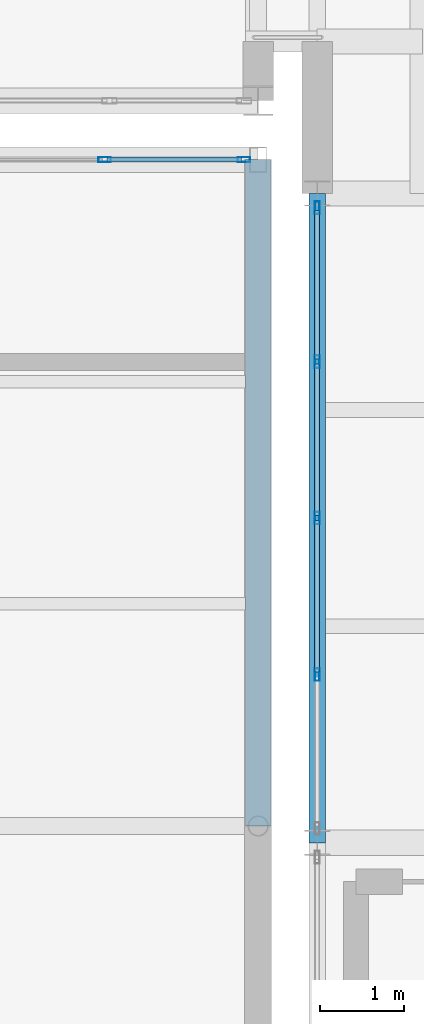
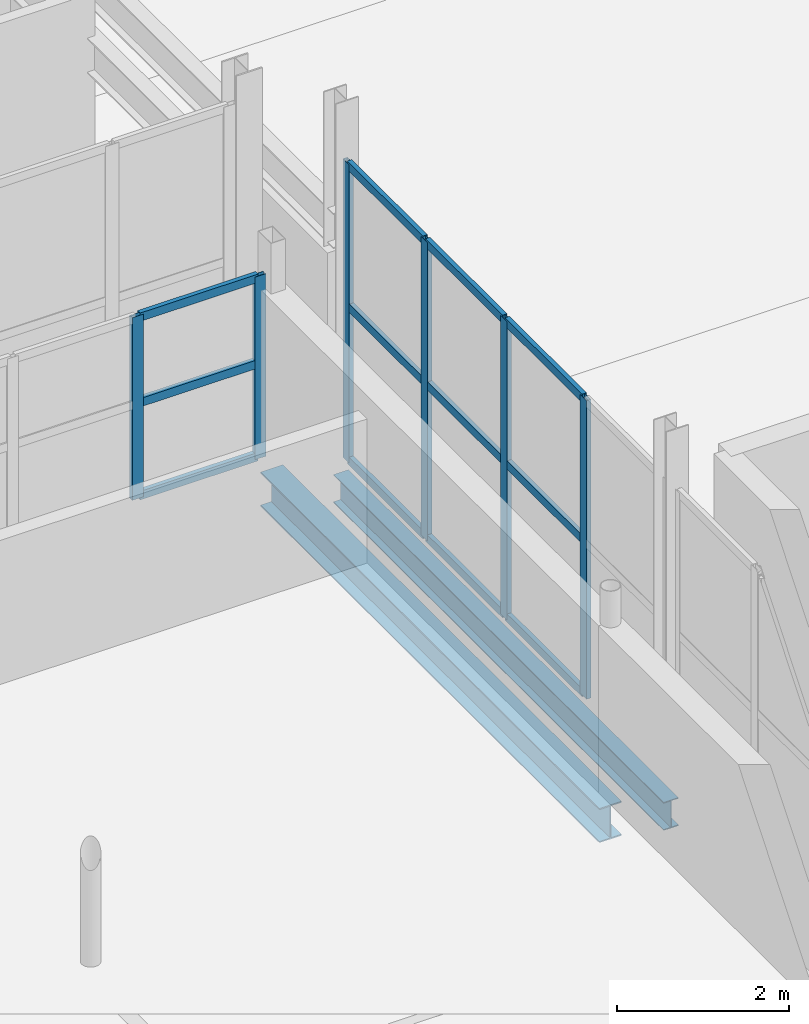
# One storey, part 107 of 218: 18 members, 2 beams, 2 elements without a shape of their own.
"""IFC4 building model written with IfcOpenShell, lengths in metres."""

from ifc_helpers import new_model, si_unit, direction, frame, origin, origin_2d, place, context, subcontext, project, spatial, hollow_rectangle, i_section, extrude, material, material_profile, profile_set, type_object, element, aggregate, save


model = new_model("IFC4")

# Units and contexts
model_context = context("Model", 3, precision=1e-05, world=origin(), true_north=direction((0.0, 1.0)))
body_context = subcontext(model_context, "Body", "Model", "MODEL_VIEW")
ifc_project = project(units=[si_unit("LENGTHUNIT", "METRE"), si_unit("AREAUNIT", "SQUARE_METRE"), si_unit("VOLUMEUNIT", "CUBIC_METRE"), si_unit("PLANEANGLEUNIT", "RADIAN"), si_unit("MASSUNIT", "GRAM", prefix="KILO")], contexts=[model_context])

# Site, building, storey
site_placement = place(None, origin())
site = spatial("IfcSite", under=ifc_project, at=site_placement, CompositionType="ELEMENT")
building_placement = place(site_placement, origin())
building = spatial("IfcBuilding", under=site, at=building_placement, Name="Kazenagashi Tramway Depot", CompositionType="ELEMENT")
storey_placement = place(building_placement, frame((0.0, 0.0, 6.0)))
storey = spatial("IfcBuildingStorey", under=building, at=storey_placement, Name="L02", CompositionType="ELEMENT", Elevation=6.0)

# Curtain wall, members
ifc_material_1 = material(Name="Anodised Aluminium and Low-E Glazing", Category="aluminium")
curtain_wall_type_1 = type_object("IfcCurtainWallType", Name="CW-31", PredefinedType="USERDEFINED", material=ifc_material_1)
curtain_wall_1_placement = place(storey_placement, origin())
curtain_wall_1 = element("IfcCurtainWall", 1, at=curtain_wall_1_placement, inside=storey, type_object=curtain_wall_type_1, Name="Industrial Glazed Screen CW-31 CW-0160", ObjectType="GLAZED SCREEN", PredefinedType="USERDEFINED")
ifc_material_2 = material(Name="Anodised Aluminium", Category="aluminium")
ifc_material_profile_1 = material_profile(ifc_material_2, hollow_rectangle(XDim=0.06, YDim=0.15, WallThickness=0.004, at=origin_2d()), Name="RHS-150x60x4")
ifc_profile_set_1 = profile_set([ifc_material_profile_1], Name="Anodised Aluminium")
member_type_1 = type_object("IfcMemberType", Name="ML-01", PredefinedType="MULLION", material=ifc_profile_set_1)
member_1_placement = place(storey_placement, frame((146.3, 9.695, 0.0), z_axis=(0.0, 0.0, 1.0), x_axis=(-1.0, 0.0, 0.0)))
member_1 = element("IfcMember", 2, at=member_1_placement, type_object=member_type_1, Name="CW-31 mullion 2", PredefinedType="MULLION", context=body_context, shape_type="SweptSolid", body=[
    extrude(hollow_rectangle(XDim=0.06, YDim=0.15, WallThickness=0.004, at=origin_2d()), origin(), (0.0, 0.0, 1.0), 4.25),
])
member_2_placement = place(storey_placement, frame((146.3, 11.55, 0.0), z_axis=(0.0, 0.0, 1.0), x_axis=(-1.0, 0.0, 0.0)))
member_2 = element("IfcMember", 3, at=member_2_placement, type_object=member_type_1, Name="CW-31 mullion 3", PredefinedType="MULLION", context=body_context, shape_type="SweptSolid", body=[
    extrude(hollow_rectangle(XDim=0.06, YDim=0.15, WallThickness=0.004, at=origin_2d()), origin(), (0.0, 0.0, 1.0), 4.25),
])
member_3_placement = place(storey_placement, frame((146.3, 13.405, 0.0), z_axis=(0.0, 0.0, 1.0), x_axis=(-1.0, 0.0, 0.0)))
member_3 = element("IfcMember", 4, at=member_3_placement, type_object=member_type_1, Name="CW-31 mullion 4", PredefinedType="MULLION", context=body_context, shape_type="SweptSolid", body=[
    extrude(hollow_rectangle(XDim=0.06, YDim=0.15, WallThickness=0.004, at=origin_2d()), origin(), (0.0, 0.0, 1.0), 4.25),
])
member_4_placement = place(storey_placement, frame((146.3, 15.23, 0.0), z_axis=(0.0, 0.0, 1.0), x_axis=(-1.0, 0.0, 0.0)))
member_4 = element("IfcMember", 5, at=member_4_placement, type_object=member_type_1, Name="CW-31 mullion 5", PredefinedType="MULLION", context=body_context, shape_type="SweptSolid", body=[
    extrude(hollow_rectangle(XDim=0.06, YDim=0.15, WallThickness=0.004, at=origin_2d()), origin(), (0.0, 0.0, 1.0), 4.25),
])

curtain_wall_type_2 = type_object("IfcCurtainWallType", Name="CW-32", PredefinedType="USERDEFINED", material=ifc_material_1)
curtain_wall_2_placement = place(storey_placement, origin())
curtain_wall_2 = element("IfcCurtainWall", 6, at=curtain_wall_2_placement, inside=storey, type_object=curtain_wall_type_2, Name="Industrial Glazed Screen CW-32 CW-0179", ObjectType="GLAZED SCREEN", PredefinedType="USERDEFINED")
member_5_placement = place(storey_placement, frame((143.78, 15.8, 0.0), z_axis=(0.0, 0.0, 1.0), x_axis=(0.0, 1.0, 0.0)))
member_5 = element("IfcMember", 7, at=member_5_placement, type_object=member_type_1, Name="CW-32 mullion 4", PredefinedType="MULLION", context=body_context, shape_type="SweptSolid", body=[
    extrude(hollow_rectangle(XDim=0.06, YDim=0.15, WallThickness=0.004, at=origin_2d()), origin(), (0.0, 0.0, 1.0), 2.6),
])
member_6_placement = place(storey_placement, frame((145.43, 15.8, 0.0), z_axis=(0.0, 0.0, 1.0), x_axis=(0.0, 1.0, 0.0)))
member_6 = element("IfcMember", 8, at=member_6_placement, type_object=member_type_1, Name="CW-32 mullion 5", PredefinedType="MULLION", context=body_context, shape_type="SweptSolid", body=[
    extrude(hollow_rectangle(XDim=0.06, YDim=0.15, WallThickness=0.004, at=origin_2d()), origin(), (0.0, 0.0, 1.0), 2.6),
])

# Beams
ifc_material_3 = material(Name="Steel SN490B", Category="steel")
ifc_material_profile_2 = material_profile(ifc_material_3, i_section(OverallWidth=0.3, OverallDepth=0.488, WebThickness=0.011, FlangeThickness=0.018, at=origin_2d()), Name="H-488x300x11x18")
ifc_profile_set_2 = profile_set([ifc_material_profile_2], Name="Steel SN490B")
beam_type_1 = type_object("IfcBeamType", Name="SP-02", PredefinedType="SPANDREL", material=ifc_profile_set_2)
beam_1_placement = place(storey_placement, frame((145.6, 7.9, -0.469), z_axis=(0.0, 1.0, 0.0), x_axis=(-1.0, 0.0, 0.0)))
element("IfcBeam", 9, at=beam_1_placement, inside=storey, type_object=beam_type_1, Name="Beam SP-02 BM-1644", PredefinedType="SPANDREL", context=body_context, shape_type="SweptSolid", body=[
    extrude(i_section(OverallWidth=0.3, OverallDepth=0.488, WebThickness=0.011, FlangeThickness=0.018, at=origin_2d()), origin(), (0.0, 0.0, 1.0), 7.9),
])
ifc_material_profile_3 = material_profile(ifc_material_3, i_section(OverallWidth=0.2, OverallDepth=0.4, WebThickness=0.008, FlangeThickness=0.013, at=origin_2d()), Name="H-400x200x8x13")
ifc_profile_set_3 = profile_set([ifc_material_profile_3], Name="Steel SN490B")
beam_type_2 = type_object("IfcBeamType", Name="SP-04", PredefinedType="SPANDREL", material=ifc_profile_set_3)
beam_2_placement = place(storey_placement, frame((146.3, 7.7, -0.48), z_axis=(0.0, 1.0, 0.0), x_axis=(-1.0, 0.0, 0.0)))
element("IfcBeam", 10, at=beam_2_placement, inside=storey, type_object=beam_type_2, Name="Beam SP-04 BM-1232", PredefinedType="SPANDREL", context=body_context, shape_type="SweptSolid", body=[
    extrude(i_section(OverallWidth=0.2, OverallDepth=0.4, WebThickness=0.008, FlangeThickness=0.013, at=origin_2d()), origin(), (0.0, 0.0, 1.0), 7.7),
])

# Member
ifc_material_profile_4 = material_profile(ifc_material_2, hollow_rectangle(XDim=0.06, YDim=0.12, WallThickness=0.004, at=origin_2d()), Name="RHS-120x60x4")
ifc_profile_set_4 = profile_set([ifc_material_profile_4], Name="Anodised Aluminium")
member_type_2 = type_object("IfcMemberType", Name="TR-01", PredefinedType="USERDEFINED", material=ifc_profile_set_4)
member_7_placement = place(storey_placement, frame((146.3, 9.725, 0.03), z_axis=(0.0, 1.0, 0.0), x_axis=(-1.0, 0.0, 0.0)))
member_7 = element("IfcMember", 11, at=member_7_placement, type_object=member_type_2, Name="CW-31 transom 2.1", ObjectType="TRANSOM", PredefinedType="USERDEFINED", context=body_context, shape_type="SweptSolid", body=[
    extrude(hollow_rectangle(XDim=0.06, YDim=0.12, WallThickness=0.004, at=origin_2d()), origin(), (0.0, 0.0, 1.0), 1.795),
])

member_8_placement = place(storey_placement, frame((146.3, 9.725, 2.21), z_axis=(0.0, 1.0, 0.0), x_axis=(-1.0, 0.0, 0.0)))
member_8 = element("IfcMember", 12, at=member_8_placement, type_object=member_type_2, Name="CW-31 transom 2.2", ObjectType="TRANSOM", PredefinedType="USERDEFINED", context=body_context, shape_type="SweptSolid", body=[
    extrude(hollow_rectangle(XDim=0.06, YDim=0.12, WallThickness=0.004, at=origin_2d()), origin(), (0.0, 0.0, 1.0), 1.795),
])

member_9_placement = place(storey_placement, frame((146.3, 9.725, 4.22), z_axis=(0.0, 1.0, 0.0), x_axis=(-1.0, 0.0, 0.0)))
member_9 = element("IfcMember", 13, at=member_9_placement, type_object=member_type_2, Name="CW-31 transom 2.3", ObjectType="TRANSOM", PredefinedType="USERDEFINED", context=body_context, shape_type="SweptSolid", body=[
    extrude(hollow_rectangle(XDim=0.06, YDim=0.12, WallThickness=0.004, at=origin_2d()), origin(), (0.0, 0.0, 1.0), 1.795),
])

member_10_placement = place(storey_placement, frame((146.3, 11.58, 0.03), z_axis=(0.0, 1.0, 0.0), x_axis=(-1.0, 0.0, 0.0)))
member_10 = element("IfcMember", 14, at=member_10_placement, type_object=member_type_2, Name="CW-31 transom 3.1", ObjectType="TRANSOM", PredefinedType="USERDEFINED", context=body_context, shape_type="SweptSolid", body=[
    extrude(hollow_rectangle(XDim=0.06, YDim=0.12, WallThickness=0.004, at=origin_2d()), origin(), (0.0, 0.0, 1.0), 1.795),
])

member_11_placement = place(storey_placement, frame((146.3, 11.58, 2.21), z_axis=(0.0, 1.0, 0.0), x_axis=(-1.0, 0.0, 0.0)))
member_11 = element("IfcMember", 15, at=member_11_placement, type_object=member_type_2, Name="CW-31 transom 3.2", ObjectType="TRANSOM", PredefinedType="USERDEFINED", context=body_context, shape_type="SweptSolid", body=[
    extrude(hollow_rectangle(XDim=0.06, YDim=0.12, WallThickness=0.004, at=origin_2d()), origin(), (0.0, 0.0, 1.0), 1.795),
])

member_12_placement = place(storey_placement, frame((146.3, 11.58, 4.22), z_axis=(0.0, 1.0, 0.0), x_axis=(-1.0, 0.0, 0.0)))
member_12 = element("IfcMember", 16, at=member_12_placement, type_object=member_type_2, Name="CW-31 transom 3.3", ObjectType="TRANSOM", PredefinedType="USERDEFINED", context=body_context, shape_type="SweptSolid", body=[
    extrude(hollow_rectangle(XDim=0.06, YDim=0.12, WallThickness=0.004, at=origin_2d()), origin(), (0.0, 0.0, 1.0), 1.795),
])

member_13_placement = place(storey_placement, frame((146.3, 13.435, 0.03), z_axis=(0.0, 1.0, 0.0), x_axis=(-1.0, 0.0, 0.0)))
member_13 = element("IfcMember", 17, at=member_13_placement, type_object=member_type_2, Name="CW-31 transom 4.1", ObjectType="TRANSOM", PredefinedType="USERDEFINED", context=body_context, shape_type="SweptSolid", body=[
    extrude(hollow_rectangle(XDim=0.06, YDim=0.12, WallThickness=0.004, at=origin_2d()), origin(), (0.0, 0.0, 1.0), 1.765),
])

member_14_placement = place(storey_placement, frame((146.3, 13.435, 2.21), z_axis=(0.0, 1.0, 0.0), x_axis=(-1.0, 0.0, 0.0)))
member_14 = element("IfcMember", 18, at=member_14_placement, type_object=member_type_2, Name="CW-31 transom 4.2", ObjectType="TRANSOM", PredefinedType="USERDEFINED", context=body_context, shape_type="SweptSolid", body=[
    extrude(hollow_rectangle(XDim=0.06, YDim=0.12, WallThickness=0.004, at=origin_2d()), origin(), (0.0, 0.0, 1.0), 1.765),
])

member_15_placement = place(storey_placement, frame((146.3, 13.435, 4.22), z_axis=(0.0, 1.0, 0.0), x_axis=(-1.0, 0.0, 0.0)))
member_15 = element("IfcMember", 19, at=member_15_placement, type_object=member_type_2, Name="CW-31 transom 4.3", ObjectType="TRANSOM", PredefinedType="USERDEFINED", context=body_context, shape_type="SweptSolid", body=[
    extrude(hollow_rectangle(XDim=0.06, YDim=0.12, WallThickness=0.004, at=origin_2d()), origin(), (0.0, 0.0, 1.0), 1.765),
])

aggregate(curtain_wall_1, [member_1, member_2, member_3, member_4, member_7, member_8, member_9, member_10, member_11, member_12, member_13, member_14, member_15])

member_16_placement = place(storey_placement, frame((143.81, 15.8, 0.03), z_axis=(1.0, 0.0, 0.0), x_axis=(0.0, 1.0, 0.0)))
member_16 = element("IfcMember", 20, at=member_16_placement, type_object=member_type_2, Name="CW-32 transom 4.1", ObjectType="TRANSOM", PredefinedType="USERDEFINED", context=body_context, shape_type="SweptSolid", body=[
    extrude(hollow_rectangle(XDim=0.06, YDim=0.12, WallThickness=0.004, at=origin_2d()), origin(), (0.0, 0.0, 1.0), 1.59),
])

member_17_placement = place(storey_placement, frame((143.81, 15.8, 1.352), z_axis=(1.0, 0.0, 0.0), x_axis=(0.0, 1.0, 0.0)))
member_17 = element("IfcMember", 21, at=member_17_placement, type_object=member_type_2, Name="CW-32 transom 4.2", ObjectType="TRANSOM", PredefinedType="USERDEFINED", context=body_context, shape_type="SweptSolid", body=[
    extrude(hollow_rectangle(XDim=0.06, YDim=0.12, WallThickness=0.004, at=origin_2d()), origin(), (0.0, 0.0, 1.0), 1.59),
])

member_18_placement = place(storey_placement, frame((143.81, 15.8, 2.57), z_axis=(1.0, 0.0, 0.0), x_axis=(0.0, 1.0, 0.0)))
member_18 = element("IfcMember", 22, at=member_18_placement, type_object=member_type_2, Name="CW-32 transom 4.3", ObjectType="TRANSOM", PredefinedType="USERDEFINED", context=body_context, shape_type="SweptSolid", body=[
    extrude(hollow_rectangle(XDim=0.06, YDim=0.12, WallThickness=0.004, at=origin_2d()), origin(), (0.0, 0.0, 1.0), 1.59),
])

aggregate(curtain_wall_2, [member_5, member_6, member_16, member_17, member_18])

save(model, "model.ifc")
